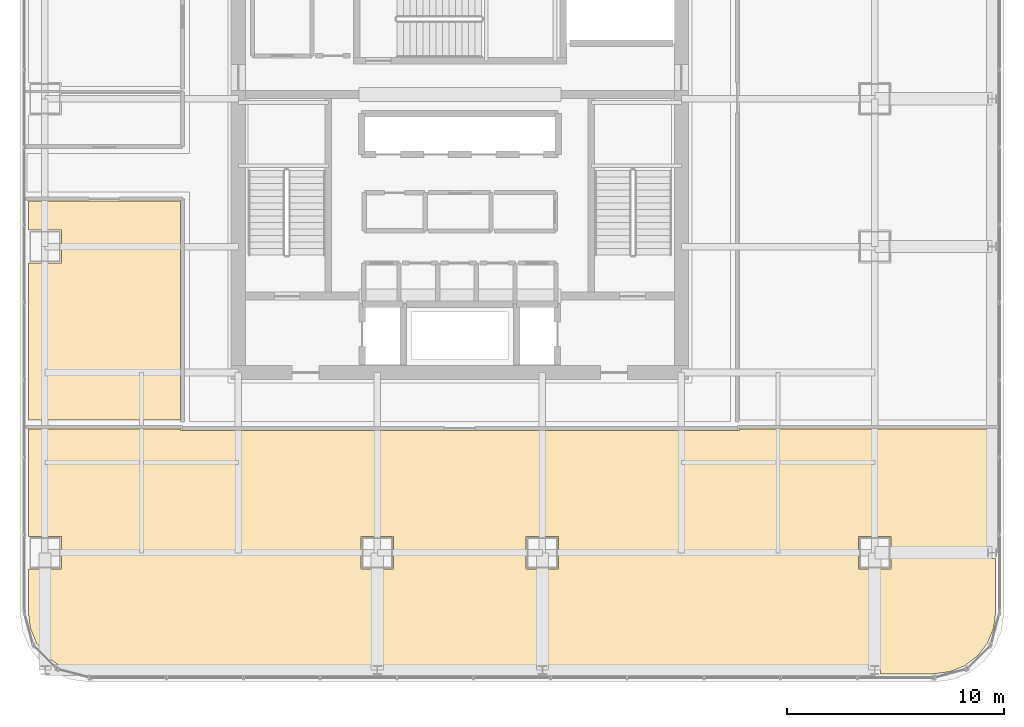
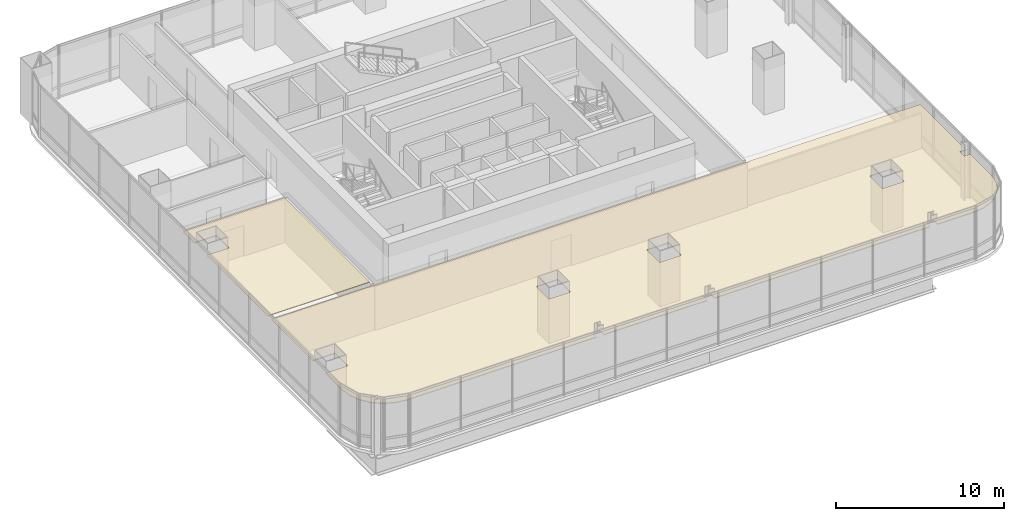
# One storey, part 32 of 36: 2 coverings.
"""IFC4 building model written with IfcOpenShell, lengths in metres."""

from ifc_helpers import new_model, si_unit, direction, frame, origin, place, context, subcontext, project, spatial, polyline, outline, extrude, material, layer, layer_set, type_object, element, save


model = new_model("IFC4")

# Units and contexts
model_context = context("Model", 3, precision=1e-05, world=origin(), true_north=direction((0.0, 1.0)))
body_context = subcontext(model_context, "Body", "Model", "MODEL_VIEW")
ifc_project = project(units=[si_unit("LENGTHUNIT", "METRE"), si_unit("AREAUNIT", "SQUARE_METRE"), si_unit("VOLUMEUNIT", "CUBIC_METRE"), si_unit("PLANEANGLEUNIT", "RADIAN"), si_unit("MASSUNIT", "GRAM", prefix="KILO")], contexts=[model_context])

# Site, building, storey
site_placement = place(None, origin())
site = spatial("IfcSite", under=ifc_project, at=site_placement, CompositionType="ELEMENT")
building_placement = place(site_placement, origin())
building = spatial("IfcBuilding", under=site, at=building_placement, Name="Punatoya Terracotta Tower", CompositionType="ELEMENT")
storey_placement = place(building_placement, frame((0.0, 0.0, 212.699951171875)))
storey = spatial("IfcBuildingStorey", under=building, at=storey_placement, Name="L50", CompositionType="ELEMENT", Elevation=212.699951171875)

# Coverings
ifc_material = material(Name="Acoustic Mineral Fibre Ceiling")
ifc_layer = layer(ifc_material, 0.06005859375)
ifc_layer_set = layer_set([ifc_layer], Name="Acoustic Mineral Fibre Ceiling")
covering_type = type_object("IfcCoveringType", Name="COV-CEIL-60", PredefinedType="CEILING", material=ifc_layer_set)
covering_1_placement = place(storey_placement, frame((0.0, 0.0, 3.219970703125)))
element("IfcCovering", 1, at=covering_1_placement, inside=storey, type_object=covering_type, Name="L50 Plenary Seminar Room Acoustic Ceiling", PredefinedType="CEILING", context=body_context, shape_type="SweptSolid", body=[
    extrude(outline(polyline([(-19.8701171875, -16.75), (-18.35009765625, -16.75), (-18.35009765625, -18.25), (-19.8701171875, -18.25), (-19.8701171875, -20.22509765625), (-19.770751953125, -20.97900390625), (-19.489501953125, -21.658203125), (-19.041748046875, -22.24169921875), (-18.458251953125, -22.689453125), (-17.779052734375, -22.970703125), (-17.025146484375, -23.070068359375), (-4.054443359375, -23.070068359375), (-4.054443359375, -22.637451171875), (-3.54541015625, -22.637451171875), (-3.54541015625, -23.070068359375), (3.54541015625, -23.070068359375), (3.54541015625, -22.637451171875), (4.054443359375, -22.637451171875), (4.054443359375, -23.070068359375), (18.845458984375, -23.070068359375), (18.845458984375, -22.637451171875), (19.3544921875, -22.637451171875), (19.3544921875, -23.070068359375), (21.8251953125, -23.070068359375), (22.5791015625, -22.970703125), (23.25830078125, -22.689453125), (23.841796875, -22.24169921875), (24.289306640625, -21.658203125), (24.57080078125, -20.97900390625), (24.669921875, -20.22509765625), (24.669921875, -17.762451171875), (24.24560546875, -17.762451171875), (24.24560546875, -17.237548828125), (24.669921875, -17.237548828125), (24.669921875, -11.81005859375), (12.8701171875, -11.81005859375), (12.8701171875, -11.8701171875), (-12.8701171875, -11.8701171875), (-12.8701171875, -11.81005859375), (-19.8701171875, -11.81005859375), (-19.8701171875, -16.75)]), holes=[polyline([(19.85009765625, -18.25), (18.35009765625, -18.25), (18.35009765625, -16.75), (19.85009765625, -16.75), (19.85009765625, -18.25)]), polyline([(4.550048828125, -16.75), (4.550048828125, -18.25), (3.050048828125, -18.25), (3.050048828125, -16.75), (4.550048828125, -16.75)]), polyline([(-4.550048828125, -16.75), (-3.050048828125, -16.75), (-3.050048828125, -18.25), (-4.550048828125, -18.25), (-4.550048828125, -16.75)])]), origin(), (0.0, 0.0, 1.0), 0.06005859375),
])
covering_2_placement = place(storey_placement, frame((0.0, 0.0, 3.219970703125)))
element("IfcCovering", 2, at=covering_2_placement, inside=storey, type_object=covering_type, Name="L50 Open-Plan Client Strategy Boardroom Acoustic Ceiling", PredefinedType="CEILING", context=body_context, shape_type="SweptSolid", body=[
    extrude(outline(polyline([(-19.8701171875, -4.14990234375), (-19.8701171875, -11.389892578125), (-12.8701171875, -11.389892578125), (-12.8701171875, -1.300048828125), (-19.8701171875, -1.300048828125), (-19.8701171875, -2.64990234375), (-18.35009765625, -2.64990234375), (-18.35009765625, -4.14990234375), (-19.8701171875, -4.14990234375)])), origin(), (0.0, 0.0, 1.0), 0.06005859375),
])

save(model, "model.ifc")
